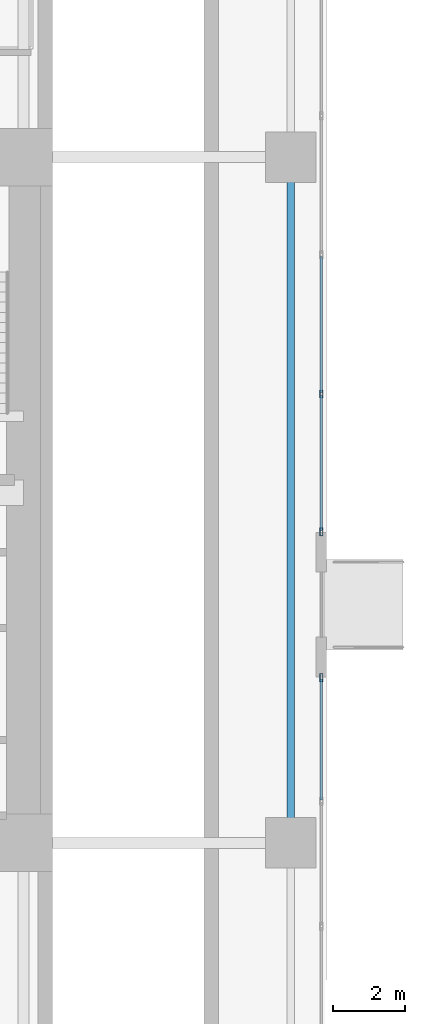
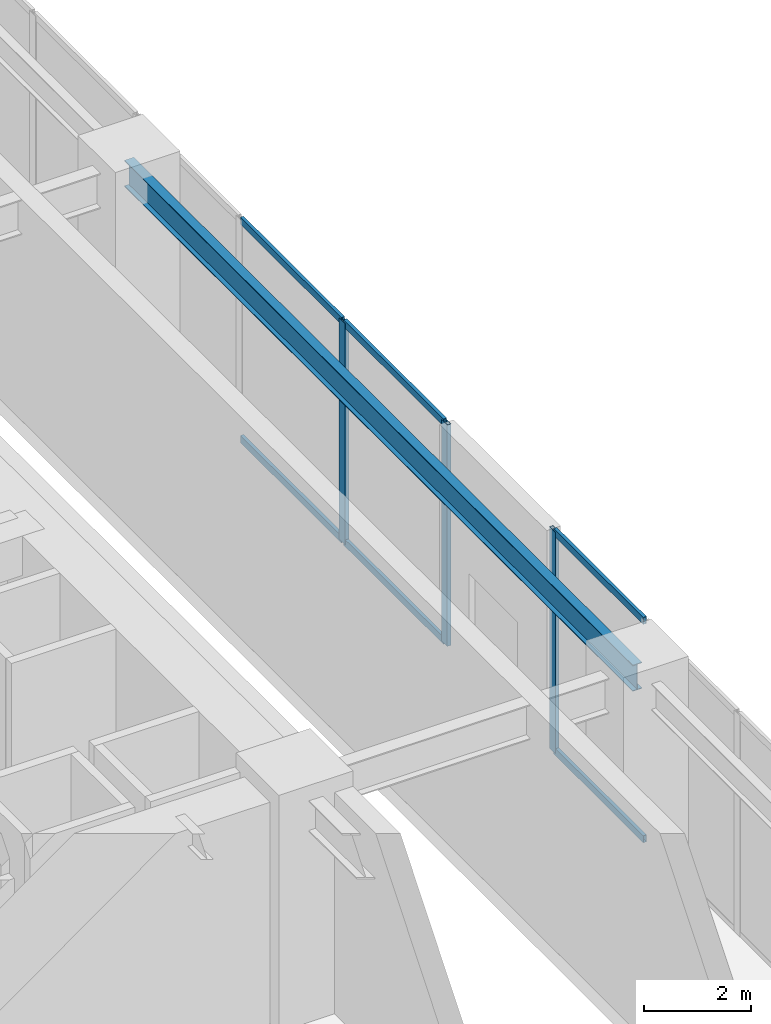
# One storey, part 15 of 28: 9 members, 1 beam, 2 elements without a shape of their own.
"""IFC4 building model written with IfcOpenShell, lengths in metres."""

from ifc_helpers import new_model, si_unit, direction, frame, origin, origin_2d, place, context, subcontext, project, spatial, hollow_rectangle, i_section, extrude, source, transform, mapped, material, layer, layer_set, material_profile, profile_set, type_object, type_shapes, element, aggregate, save


model = new_model("IFC4")

# Units and contexts
model_context = context("Model", 3, precision=1e-05, world=origin(), true_north=direction((0.0, 1.0)))
body_context = subcontext(model_context, "Body", "Model", "MODEL_VIEW")
ifc_project = project(units=[si_unit("LENGTHUNIT", "METRE"), si_unit("AREAUNIT", "SQUARE_METRE"), si_unit("VOLUMEUNIT", "CUBIC_METRE"), si_unit("PLANEANGLEUNIT", "RADIAN"), si_unit("MASSUNIT", "GRAM", prefix="KILO")], contexts=[model_context])

# Site, building, storey
site_placement = place(None, origin())
site = spatial("IfcSite", under=ifc_project, at=site_placement, CompositionType="ELEMENT")
building_placement = place(site_placement, origin())
building = spatial("IfcBuilding", under=site, at=building_placement, Name="Haelvirn Gate Laboratories", CompositionType="ELEMENT")
storey_placement = place(building_placement, origin())
storey = spatial("IfcBuildingStorey", under=building, at=storey_placement, Name="L01", CompositionType="ELEMENT", Elevation=0.0)

# Beam
ifc_material_1 = material(Name="Steel SM355", Category="steel")
ifc_material_profile_1 = material_profile(ifc_material_1, i_section(OverallWidth=0.199951171875, OverallDepth=0.60009765625, WebThickness=0.010986328125, FlangeThickness=0.01708984375, at=origin_2d()), Name="H-600x200x11x17")
ifc_profile_set_1 = profile_set([ifc_material_profile_1], Name="Steel SM355")
beam_type = type_object("IfcBeamType", Name="BM-SP-600", PredefinedType="SPANDREL", material=ifc_profile_set_1)
shared_shape_1 = source(origin(), body_context, "Body", "SweptSolid", [
    extrude(i_section(OverallWidth=0.199951171875, OverallDepth=0.60009765625, WebThickness=0.010986328125, FlangeThickness=0.01708984375, at=origin_2d()), origin(), (0.0, 0.0, 1.0), 19.0),
])
type_shapes(beam_type, [shared_shape_1])
beam_placement = place(storey_placement, frame((74.800048828125, 14.800048828125, 4.75), z_axis=(0.0, 1.0, 0.0), x_axis=(-1.0, 0.0, 0.0)))
element("IfcBeam", 1, at=beam_placement, inside=storey, type_object=beam_type, Name="L01 Perimeter Spandrel X74.8 (14.8-33.8)", PredefinedType="SPANDREL", context=body_context, shape_type="MappedRepresentation", body=[
    mapped(shared_shape_1, transform((0.0, 0.0, 0.0), scale=1.0)),
])

# Curtain wall, member
ifc_material_2 = material(Name="Anodised bronze unitised aluminium & triple low-E glass", Category="aluminium")
ifc_layer = layer(ifc_material_2, 0.18798828125, Name="CW-SYS-1")
ifc_layer_set = layer_set([ifc_layer], Name="Anodised bronze unitised aluminium & triple low-E glass")
curtain_wall_type = type_object("IfcCurtainWallType", Name="CW-SYS-1", PredefinedType="NOTDEFINED", material=ifc_layer_set)
curtain_wall_1_placement = place(storey_placement, origin())
curtain_wall_1 = element("IfcCurtainWall", 2, at=curtain_wall_1_placement, inside=storey, type_object=curtain_wall_type, Name="L01 Unitised Curtain Wall CW-L01-ES", PredefinedType="NOTDEFINED")
ifc_material_3 = material(Name="Extruded aluminium 6063-T6 (anodised bronze)", Category="aluminium")
ifc_material_profile_2 = material_profile(ifc_material_3, hollow_rectangle(XDim=0.080078125, YDim=0.219970703125, WallThickness=0.006103515625, at=origin_2d()), Name="CWM-220x80x6")
ifc_profile_set_2 = profile_set([ifc_material_profile_2], Name="Extruded aluminium 6063-T6 (anodised bronze)")
member_type_1 = type_object("IfcMemberType", Name="CWM-T220", PredefinedType="MULLION", material=ifc_profile_set_2)
shared_shape_2 = source(origin(), body_context, "Body", "SweptSolid", [
    extrude(hollow_rectangle(XDim=0.080078125, YDim=0.219970703125, WallThickness=0.006103515625, at=origin_2d()), origin(), (0.0, 0.0, 1.0), 5.050048828125),
])
type_shapes(member_type_1, [shared_shape_2])
member_1_placement = place(storey_placement, frame((75.64990234375, 19.3798828125, 0.0), z_axis=(0.0, 0.0, 1.0), x_axis=(-1.0, 0.0, 0.0)))
member_1 = element("IfcMember", 3, at=member_1_placement, type_object=member_type_1, Name="CW1 mullion 6", PredefinedType="MULLION", context=body_context, shape_type="MappedRepresentation", body=[
    mapped(shared_shape_2, transform((0.0, 0.0, 0.0), scale=1.0)),
])

# Curtain wall, members
curtain_wall_2_placement = place(storey_placement, origin())
curtain_wall_2 = element("IfcCurtainWall", 4, at=curtain_wall_2_placement, inside=storey, type_object=curtain_wall_type, Name="L01 Unitised Curtain Wall CW-L01-EN", PredefinedType="NOTDEFINED")
member_2_placement = place(storey_placement, frame((75.64990234375, 23.419921875, 0.0), z_axis=(0.0, 0.0, 1.0), x_axis=(-1.0, 0.0, 0.0)))
member_2 = element("IfcMember", 5, at=member_2_placement, type_object=member_type_1, Name="CW1 mullion 1", PredefinedType="MULLION", context=body_context, shape_type="MappedRepresentation", body=[
    mapped(shared_shape_2, transform((0.0, 0.0, 0.0), scale=1.0)),
])
member_3_placement = place(storey_placement, frame((75.64990234375, 27.236572265625, 0.0), z_axis=(0.0, 0.0, 1.0), x_axis=(-1.0, 0.0, 0.0)))
member_3 = element("IfcMember", 6, at=member_3_placement, type_object=member_type_1, Name="CW1 mullion 2", PredefinedType="MULLION", context=body_context, shape_type="MappedRepresentation", body=[
    mapped(shared_shape_2, transform((0.0, 0.0, 0.0), scale=1.0)),
])

# Member
ifc_material_profile_3 = material_profile(ifc_material_3, hollow_rectangle(XDim=0.070068359375, YDim=0.159912109375, WallThickness=0.0048828125, at=origin_2d()), Name="CWT-160x70x5")
ifc_profile_set_3 = profile_set([ifc_material_profile_3], Name="Extruded aluminium 6063-T6 (anodised bronze)")
member_type_2 = type_object("IfcMemberType", Name="CWT-T160", PredefinedType="USERDEFINED", material=ifc_profile_set_3)
shared_shape_3 = source(origin(), body_context, "Body", "SweptSolid", [
    extrude(hollow_rectangle(XDim=0.070068359375, YDim=0.159912109375, WallThickness=0.0048828125, at=origin_2d()), origin(), (0.0, 0.0, 1.0), 3.34814453125),
])
member_4_placement = place(storey_placement, frame((75.64990234375, 15.991943359375, 0.034912109375), z_axis=(0.0, 1.0, 0.0), x_axis=(-1.0, 0.0, 0.0)))
member_4 = element("IfcMember", 7, at=member_4_placement, type_object=member_type_2, Name="CW1 transom 5.1", ObjectType="TRANSOM", PredefinedType="USERDEFINED", context=body_context, shape_type="MappedRepresentation", body=[
    mapped(shared_shape_3, transform((0.0, 0.0, 0.0), scale=1.0)),
])

member_5_placement = place(storey_placement, frame((75.64990234375, 15.991943359375, 5.014892578125), z_axis=(0.0, 1.0, 0.0), x_axis=(-1.0, 0.0, 0.0)))
member_5 = element("IfcMember", 8, at=member_5_placement, type_object=member_type_2, Name="CW1 transom 5.2", ObjectType="TRANSOM", PredefinedType="USERDEFINED", context=body_context, shape_type="MappedRepresentation", body=[
    mapped(shared_shape_3, transform((0.0, 0.0, 0.0), scale=1.0)),
])

aggregate(curtain_wall_1, [member_1, member_4, member_5])

shared_shape_4 = source(origin(), body_context, "Body", "SweptSolid", [
    extrude(hollow_rectangle(XDim=0.070068359375, YDim=0.159912109375, WallThickness=0.0048828125, at=origin_2d()), origin(), (0.0, 0.0, 1.0), 3.73681640625),
])
member_6_placement = place(storey_placement, frame((75.64990234375, 23.4599609375, 0.034912109375), z_axis=(0.0, 1.0, 0.0), x_axis=(-1.0, 0.0, 0.0)))
member_6 = element("IfcMember", 9, at=member_6_placement, type_object=member_type_2, Name="CW1 transom 1.1", ObjectType="TRANSOM", PredefinedType="USERDEFINED", context=body_context, shape_type="MappedRepresentation", body=[
    mapped(shared_shape_4, transform((0.0, 0.0, 0.0), scale=1.0)),
])

member_7_placement = place(storey_placement, frame((75.64990234375, 23.4599609375, 5.014892578125), z_axis=(0.0, 1.0, 0.0), x_axis=(-1.0, 0.0, 0.0)))
member_7 = element("IfcMember", 10, at=member_7_placement, type_object=member_type_2, Name="CW1 transom 1.2", ObjectType="TRANSOM", PredefinedType="USERDEFINED", context=body_context, shape_type="MappedRepresentation", body=[
    mapped(shared_shape_4, transform((0.0, 0.0, 0.0), scale=1.0)),
])

shared_shape_5 = source(origin(), body_context, "Body", "SweptSolid", [
    extrude(hollow_rectangle(XDim=0.070068359375, YDim=0.159912109375, WallThickness=0.0048828125, at=origin_2d()), origin(), (0.0, 0.0, 1.0), 3.776611328125),
])
type_shapes(member_type_2, [shared_shape_3, shared_shape_4, shared_shape_5])
member_8_placement = place(storey_placement, frame((75.64990234375, 27.276611328125, 0.034912109375), z_axis=(0.0, 1.0, 0.0), x_axis=(-1.0, 0.0, 0.0)))
member_8 = element("IfcMember", 11, at=member_8_placement, type_object=member_type_2, Name="CW1 transom 2.1", ObjectType="TRANSOM", PredefinedType="USERDEFINED", context=body_context, shape_type="MappedRepresentation", body=[
    mapped(shared_shape_5, transform((0.0, 0.0, 0.0), scale=1.0)),
])

member_9_placement = place(storey_placement, frame((75.64990234375, 27.276611328125, 5.014892578125), z_axis=(0.0, 1.0, 0.0), x_axis=(-1.0, 0.0, 0.0)))
member_9 = element("IfcMember", 12, at=member_9_placement, type_object=member_type_2, Name="CW1 transom 2.2", ObjectType="TRANSOM", PredefinedType="USERDEFINED", context=body_context, shape_type="MappedRepresentation", body=[
    mapped(shared_shape_5, transform((0.0, 0.0, 0.0), scale=1.0)),
])

aggregate(curtain_wall_2, [member_2, member_3, member_6, member_7, member_8, member_9])

save(model, "model.ifc")
